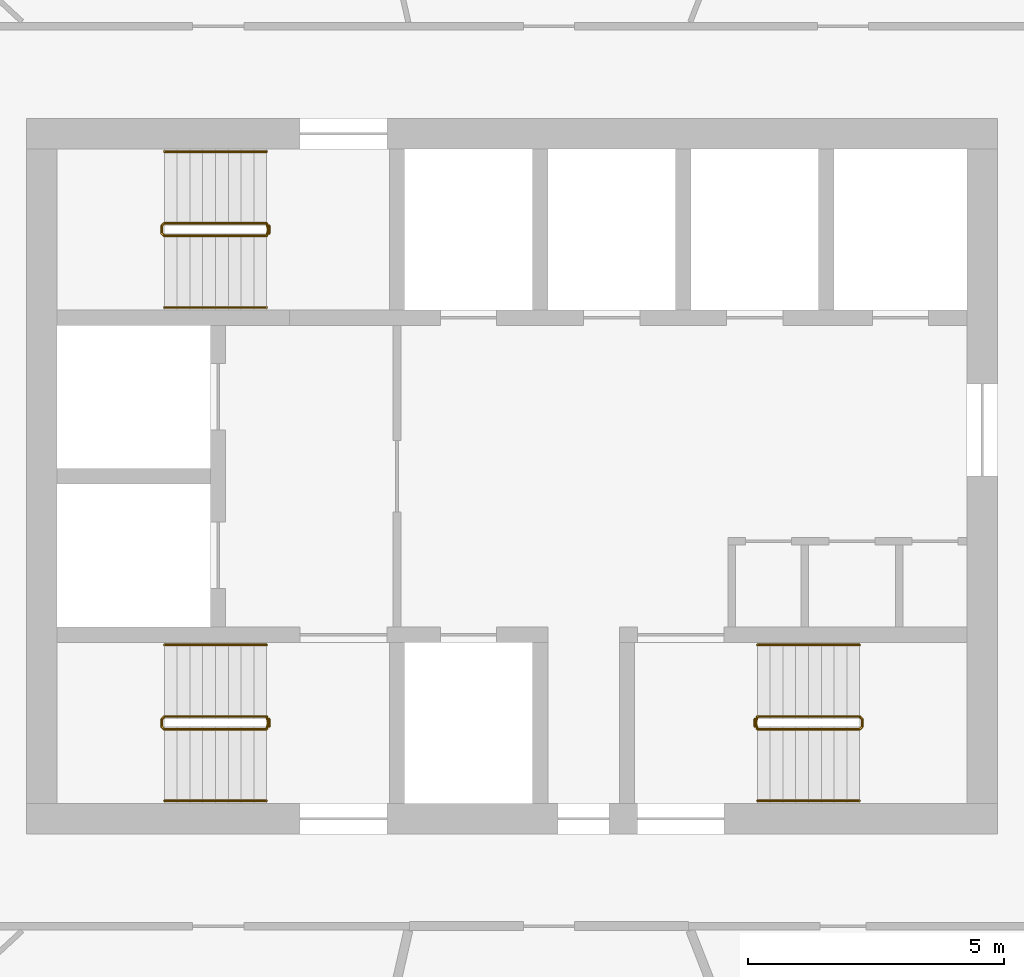
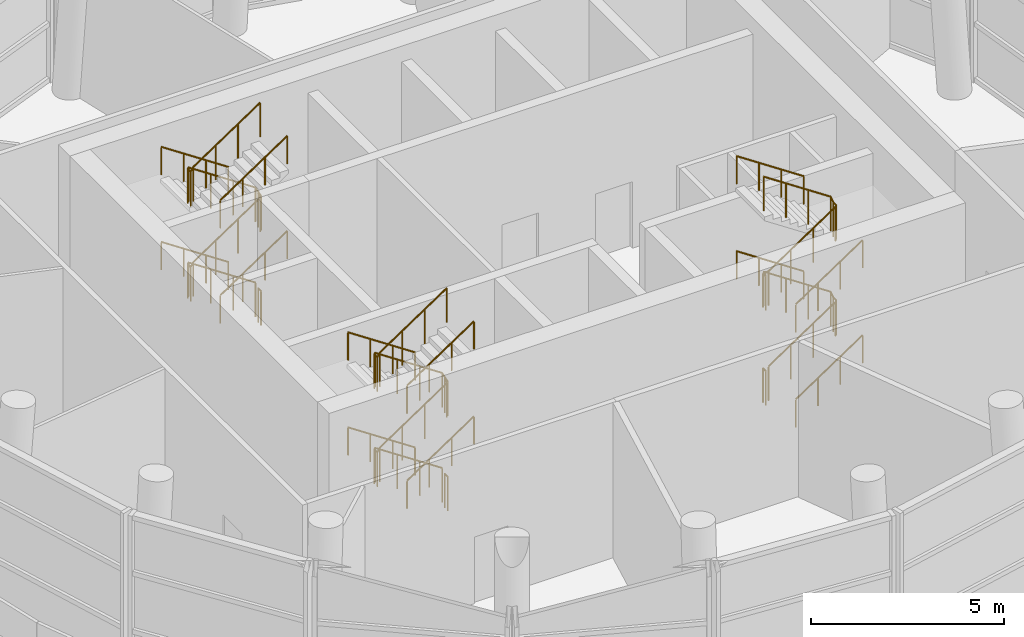
# One storey, part 9 of 10: 18 railings.
"""IFC4 building model written with IfcOpenShell, lengths in metres."""

import ifcopenshell
import ifcopenshell.guid

model = None  # the IFC model being written
_history = None  # IfcOwnerHistory: only IFC2X3 demands one
_inside = {}  # id of a spatial element -> (the spatial element, [elements in it])
_under = {}  # id of a project, library or spatial element -> (it, [spatial elements below it])
_declared = {}  # id of a project -> (the project, [libraries it declares])
_typed = {}  # id of a type object -> (the type object, [elements of that type])
_made_of = {}  # id of a material, layer set ... -> (it, [elements and type objects made of it])


def new_model(schema):
    """Start an empty IFC model of exactly this schema.

    Asked for "IFC4X3", IfcOpenShell would pick the latest addendum, in which some entities
    have other attributes; the version numbers below select the first issue.
    IFC2X3 requires an IfcOwnerHistory on every rooted entity: one is made here for all.
    """
    global model, _history
    if schema == "IFC4X3":
        model = ifcopenshell.file(schema_version=(4, 3, 0, 0))
    else:
        model = ifcopenshell.file(schema=schema)
    _inside.clear()
    _under.clear()
    _declared.clear()
    _typed.clear()
    _made_of.clear()
    _history = None
    if model.schema == "IFC2X3":
        org = make("IfcOrganization", Name="unknown")
        user = make(
            "IfcPersonAndOrganization",
            ThePerson=make("IfcPerson", FamilyName="unknown"),
            TheOrganization=org,
        )
        app = make(
            "IfcApplication",
            ApplicationDeveloper=org,
            Version="unknown",
            ApplicationFullName="unknown",
            ApplicationIdentifier="unknown",
        )
        _history = make(
            "IfcOwnerHistory",
            OwningUser=user,
            OwningApplication=app,
            ChangeAction="ADDED",
            CreationDate=0,
        )
    return model


def make(cls, **values):
    """One entity of the class cls with the attributes given. An attribute that is None is left unset."""
    return model.create_entity(
        cls, **{name: value for name, value in values.items() if value is not None}
    )


def rooted(cls, **values):
    """An entity with a GlobalId (a new one), such as an element, a storey or a relation."""
    return make(cls, GlobalId=ifcopenshell.guid.new(), OwnerHistory=_history, **values)


def si_unit(unit_type, name, prefix=None):
    """IfcSIUnit, for example si_unit("LENGTHUNIT", "METRE", prefix="MILLI")."""
    return make("IfcSIUnit", UnitType=unit_type, Prefix=prefix, Name=name)


def assignment(units):
    """IfcUnitAssignment: the units of a project."""
    return None if units is None else make("IfcUnitAssignment", Units=units)


def point(xyz):
    """IfcCartesianPoint."""
    return None if xyz is None else make("IfcCartesianPoint", Coordinates=xyz)


def direction(xyz):
    """IfcDirection."""
    return None if xyz is None else make("IfcDirection", DirectionRatios=xyz)


def frame(location, z_axis=None, x_axis=None):
    """IfcAxis2Placement3D, a coordinate frame: its origin and axes. An axis left out is left unset."""
    return make(
        "IfcAxis2Placement3D",
        Location=point(location),
        Axis=direction(z_axis),
        RefDirection=direction(x_axis),
    )


def frame_2d(location, x_axis=None):
    """IfcAxis2Placement2D, a coordinate frame in the plane: its origin and x axis."""
    return make(
        "IfcAxis2Placement2D", Location=point(location), RefDirection=direction(x_axis)
    )


def origin():
    """The frame at (0, 0, 0) with its axes left unset."""
    return frame((0.0, 0.0, 0.0))


def origin_2d():
    """The frame at (0, 0) in the plane with its x axis left unset."""
    return frame_2d((0.0, 0.0))


def place(relative_to, where):
    """IfcLocalPlacement: puts the frame where relative to a parent placement (None: the world)."""
    return make(
        "IfcLocalPlacement", PlacementRelTo=relative_to, RelativePlacement=where
    )


def context(
    kind, dimensions, precision=None, world=None, true_north=None, identifier=None
):
    """IfcGeometricRepresentationContext, for example the 3D "Model" context."""
    return make(
        "IfcGeometricRepresentationContext",
        ContextIdentifier=identifier,
        ContextType=kind,
        CoordinateSpaceDimension=dimensions,
        Precision=precision,
        WorldCoordinateSystem=world,
        TrueNorth=true_north,
    )


def subcontext(parent, identifier, kind, view, scale=None):
    """IfcGeometricRepresentationSubContext, for example "Body" below "Model"."""
    return make(
        "IfcGeometricRepresentationSubContext",
        ContextIdentifier=identifier,
        ContextType=kind,
        ParentContext=parent,
        TargetScale=scale,
        TargetView=view,
    )


def project(units=None, contexts=None):
    """IfcProject with its units and contexts."""
    return rooted(
        "IfcProject",
        Name="project",
        RepresentationContexts=contexts,
        UnitsInContext=assignment(units),
    )


def spatial(cls, under=None, at=None, **own):
    """A site, building, storey or space (cls), placed at a placement, below another one or the project."""
    s = rooted(cls, ObjectPlacement=at, **own)
    if under is not None:
        _under.setdefault(under.id(), (under, []))[1].append(s)
    return s


def profile(cls, at=None, kind="AREA", **sizes):
    """A parametric profile (cls). Its sizes go by their IFC names, for example OverallWidth=200.0."""
    return make(cls, ProfileType=kind, Position=at, **sizes)


def circle(**sizes):
    """IfcCircleProfileDef."""
    return profile("IfcCircleProfileDef", **sizes)


def extrude(swept, where, along, depth):
    """IfcExtrudedAreaSolid: the profile swept, set in the frame where, extruded along a direction by depth."""
    return make(
        "IfcExtrudedAreaSolid",
        SweptArea=swept,
        Position=where,
        ExtrudedDirection=direction(along),
        Depth=depth,
    )


def shape(context_of_items, identifier, shape_type, items):
    """IfcShapeRepresentation: the items that make up one representation, for example the "Body"."""
    return make(
        "IfcShapeRepresentation",
        ContextOfItems=context_of_items,
        RepresentationIdentifier=identifier,
        RepresentationType=shape_type,
        Items=items,
    )


def material(Name=None, Category=None):
    """IfcMaterial."""
    return make("IfcMaterial", Name=Name, Category=Category)


def made_of(thing, what):
    """Note that an element or type object is made of a material, layer set ...; save() writes the relation."""
    if what is not None:
        _made_of.setdefault(what.id(), (what, []))[1].append(thing)
    return thing


def type_object(cls, material=None, **own):
    """A type object (cls), such as IfcWallType, which elements share."""
    return made_of(rooted(cls, **own), material)


def element(
    cls,
    number,
    at=None,
    inside=None,
    cuts=None,
    type_object=None,
    material=None,
    context=None,
    identifier="Body",
    shape_type=None,
    held_by="IfcProductDefinitionShape",
    body=None,
    shapes=None,
    **own,
):
    """One element of the class cls, such as IfcWall. Its Tag is "e" and its number.

    at: its placement. inside: the storey or other place that contains it. cuts: it is an
    opening in that element (IfcRelVoidsElement). A single representation is given by context,
    identifier, shape_type and body (its items); several are given by shapes. held_by: the class
    of the entity that holds the representations. save() writes the other relations.
    """
    e = rooted(cls, Tag="e%d" % number, ObjectPlacement=at, **own)
    if body is not None:
        shapes = [shape(context, identifier, shape_type, body)]
    if shapes is not None:
        e.Representation = make(held_by, Representations=shapes)
    if inside is not None:
        _inside.setdefault(inside.id(), (inside, []))[1].append(e)
    if cuts is not None:
        rooted(
            "IfcRelVoidsElement", RelatingBuildingElement=cuts, RelatedOpeningElement=e
        )
    if type_object is not None:
        _typed.setdefault(type_object.id(), (type_object, []))[1].append(e)
    return made_of(e, material)


def aggregate(whole, parts):
    """IfcRelAggregates: a whole, such as a stair, and the parts it consists of."""
    return rooted("IfcRelAggregates", RelatingObject=whole, RelatedObjects=parts)


def save(model, path):
    """Write the relations noted so far, then the file.

    IfcRelAggregates (storeys below a building ...), IfcRelContainedInSpatialStructure (elements
    in a storey), IfcRelDefinesByType, IfcRelAssociatesMaterial and IfcRelDeclares: one each for
    every whole, place, type object, material and project.
    """
    for whole, parts in _under.values():
        aggregate(whole, parts)
    for where, things in _inside.values():
        rooted(
            "IfcRelContainedInSpatialStructure",
            RelatedElements=things,
            RelatingStructure=where,
        )
    for kind, things in _typed.values():
        rooted("IfcRelDefinesByType", RelatedObjects=things, RelatingType=kind)
    for what, things in _made_of.values():
        rooted("IfcRelAssociatesMaterial", RelatedObjects=things, RelatingMaterial=what)
    for by, libraries in _declared.values():
        rooted("IfcRelDeclares", RelatingContext=by, RelatedDefinitions=libraries)
    model.write(path)


model = new_model("IFC4")

# Units and contexts
model_context = context("Model", 3, precision=1e-05, world=origin(), true_north=direction((0.0, 1.0)))
body_context = subcontext(model_context, "Body", "Model", "MODEL_VIEW")
ifc_project = project(units=[si_unit("LENGTHUNIT", "METRE"), si_unit("AREAUNIT", "SQUARE_METRE"), si_unit("VOLUMEUNIT", "CUBIC_METRE"), si_unit("PLANEANGLEUNIT", "RADIAN"), si_unit("MASSUNIT", "GRAM", prefix="KILO")], contexts=[model_context])

# Site, building, storey
site_placement = place(None, origin())
site = spatial("IfcSite", under=ifc_project, at=site_placement, CompositionType="ELEMENT")
building_placement = place(site_placement, origin())
building = spatial("IfcBuilding", under=site, at=building_placement, Name="Tracery Tower", CompositionType="ELEMENT")
storey_placement = place(building_placement, frame((0.0, 0.0, 352.199951171875)))
storey = spatial("IfcBuildingStorey", under=building, at=storey_placement, Name="L90", CompositionType="ELEMENT", Elevation=352.199951171875)

# Railings
ifc_material_1 = material(Name="Stainless steel and laminated glass", Category="steel")
railing_type_1 = type_object("IfcRailingType", Name="Stair guard 1100", PredefinedType="GUARDRAIL", material=ifc_material_1)
railing_1_placement = place(storey_placement, frame((-4.800048828125, -4.699951171875, 0.166748046875)))
element("IfcRailing", 1, at=railing_1_placement, inside=storey, type_object=railing_type_1, Name="L90 stair ST1 guard 1", PredefinedType="GUARDRAIL", context=body_context, shape_type="SweptSolid", body=[
    extrude(circle(Radius=0.02392578125, at=origin_2d()), frame((0.0, 0.0, 1.076171875), z_axis=(-0.832065920246, 0.0, 0.554676756648), x_axis=(0.0, -1.0, 0.0)), (0.0, 0.0, 1.0), 2.403564453125),
    extrude(circle(Radius=0.02392578125, at=origin_2d()), frame((-2.0, 0.0, 2.4091796875), z_axis=(-0.707106781187, -0.707106781187, 0.0), x_axis=(0.707106781187, -0.707106781187, 0.0)), (0.0, 0.0, 1.0), 0.07080078125),
    extrude(circle(Radius=0.02392578125, at=origin_2d()), frame((-2.050048828125, -0.050048828125, 2.4091796875), z_axis=(0.0, -1.0, 0.0), x_axis=(1.0, 0.0, 0.0)), (0.0, 0.0, 1.0), 0.14990234375),
    extrude(circle(Radius=0.02392578125, at=origin_2d()), frame((-2.050048828125, -0.199951171875, 2.4091796875), z_axis=(0.27628659633, -0.27628659633, 0.920506074601), x_axis=(0.707106781187, 0.707106781187, 0.0)), (0.0, 0.0, 1.0), 0.18115234375),
    extrude(circle(Radius=0.02392578125, at=origin_2d()), frame((-2.0, -0.25, 2.576171875), z_axis=(0.832065920246, 0.0, 0.554676756648), x_axis=(0.0, 1.0, 0.0)), (0.0, 0.0, 1.0), 2.403564453125),
    extrude(circle(Radius=0.02392578125, at=origin_2d()), frame((0.0, -0.25, 3.9091796875), z_axis=(0.242814311512, 0.970072785993, 0.0), x_axis=(-0.970072785993, 0.242814311512, 0.0)), (0.0, 0.0, 1.0), 0.2060546875),
    extrude(circle(Radius=0.02392578125, at=origin_2d()), frame((0.050048828125, -0.050048828125, 3.9091796875), z_axis=(0.0, -1.0, 0.0), x_axis=(1.0, 0.0, 0.0)), (0.0, 0.0, 1.0), 0.14990234375),
    extrude(circle(Radius=0.02392578125, at=origin_2d()), frame((0.050048828125, -0.199951171875, 3.9091796875), z_axis=(-0.188775798145, 0.754182335027, 0.628945707965), x_axis=(-0.970072785993, -0.242814311512, 0.0)), (0.0, 0.0, 1.0), 0.26513671875),
    extrude(circle(Radius=0.02392578125, at=origin_2d()), frame((0.0, 0.0, 4.076171875), z_axis=(-0.832065920246, 0.0, 0.554676756648), x_axis=(0.0, -1.0, 0.0)), (0.0, 0.0, 1.0), 2.403564453125),
    extrude(circle(Radius=0.02392578125, at=origin_2d()), frame((-2.0, 0.0, 5.4091796875), z_axis=(-0.707106781187, -0.707106781187, 0.0), x_axis=(0.707106781187, -0.707106781187, 0.0)), (0.0, 0.0, 1.0), 0.07080078125),
    extrude(circle(Radius=0.02392578125, at=origin_2d()), frame((-2.050048828125, -0.050048828125, 5.4091796875), z_axis=(0.0, -1.0, 0.0), x_axis=(1.0, 0.0, 0.0)), (0.0, 0.0, 1.0), 0.14990234375),
    extrude(circle(Radius=0.02392578125, at=origin_2d()), frame((-2.050048828125, -0.199951171875, 5.4091796875), z_axis=(0.27628659633, -0.27628659633, 0.920506074601), x_axis=(0.707106781187, 0.707106781187, 0.0)), (0.0, 0.0, 1.0), 0.18115234375),
    extrude(circle(Radius=0.02392578125, at=origin_2d()), frame((-2.0, -0.25, 5.576171875), z_axis=(0.832065920246, 0.0, 0.554676756648), x_axis=(0.0, 1.0, 0.0)), (0.0, 0.0, 1.0), 2.403564453125),
    extrude(circle(Radius=0.02099609375, at=origin_2d()), origin(), (0.0, 0.0, 1.0), 1.052001953125),
    extrude(circle(Radius=0.02099609375, at=origin_2d()), frame((-0.666748046875, 0.0, 0.4443359375)), (0.0, 0.0, 1.0), 1.052001953125),
    extrude(circle(Radius=0.02099609375, at=origin_2d()), frame((-1.333251953125, 0.0, 0.888916015625)), (0.0, 0.0, 1.0), 1.052001953125),
    extrude(circle(Radius=0.02099609375, at=origin_2d()), frame((-2.0, 0.0, 1.333251953125)), (0.0, 0.0, 1.0), 1.052001953125),
    extrude(circle(Radius=0.02099609375, at=origin_2d()), frame((-2.050048828125, -0.050048828125, 1.333251953125)), (0.0, 0.0, 1.0), 1.052001953125),
    extrude(circle(Radius=0.02099609375, at=origin_2d()), frame((-2.050048828125, -0.199951171875, 1.333251953125)), (0.0, 0.0, 1.0), 1.052001953125),
    extrude(circle(Radius=0.02099609375, at=origin_2d()), frame((-2.0, -0.25, 1.5)), (0.0, 0.0, 1.0), 1.052001953125),
    extrude(circle(Radius=0.02099609375, at=origin_2d()), frame((-1.333251953125, -0.25, 1.9443359375)), (0.0, 0.0, 1.0), 1.052001953125),
    extrude(circle(Radius=0.02099609375, at=origin_2d()), frame((-0.666748046875, -0.25, 2.388916015625)), (0.0, 0.0, 1.0), 1.052001953125),
    extrude(circle(Radius=0.02099609375, at=origin_2d()), frame((0.0, -0.25, 2.833251953125)), (0.0, 0.0, 1.0), 1.052001953125),
    extrude(circle(Radius=0.02099609375, at=origin_2d()), frame((0.050048828125, -0.050048828125, 2.833251953125)), (0.0, 0.0, 1.0), 1.052001953125),
    extrude(circle(Radius=0.02099609375, at=origin_2d()), frame((0.050048828125, -0.199951171875, 2.833251953125)), (0.0, 0.0, 1.0), 1.052001953125),
    extrude(circle(Radius=0.02099609375, at=origin_2d()), frame((0.0, 0.0, 3.0)), (0.0, 0.0, 1.0), 1.052001953125),
    extrude(circle(Radius=0.02099609375, at=origin_2d()), frame((-0.666748046875, 0.0, 3.4443359375)), (0.0, 0.0, 1.0), 1.052001953125),
    extrude(circle(Radius=0.02099609375, at=origin_2d()), frame((-1.333251953125, 0.0, 3.888916015625)), (0.0, 0.0, 1.0), 1.052001953125),
    extrude(circle(Radius=0.02099609375, at=origin_2d()), frame((-2.0, 0.0, 4.333251953125)), (0.0, 0.0, 1.0), 1.052001953125),
    extrude(circle(Radius=0.02099609375, at=origin_2d()), frame((-2.050048828125, -0.050048828125, 4.333251953125)), (0.0, 0.0, 1.0), 1.052001953125),
    extrude(circle(Radius=0.02099609375, at=origin_2d()), frame((-2.050048828125, -0.199951171875, 4.333251953125)), (0.0, 0.0, 1.0), 1.052001953125),
    extrude(circle(Radius=0.02099609375, at=origin_2d()), frame((-2.0, -0.25, 4.5)), (0.0, 0.0, 1.0), 1.052001953125),
    extrude(circle(Radius=0.02099609375, at=origin_2d()), frame((-1.333251953125, -0.25, 4.9443359375)), (0.0, 0.0, 1.0), 1.052001953125),
    extrude(circle(Radius=0.02099609375, at=origin_2d()), frame((-0.666748046875, -0.25, 5.388916015625)), (0.0, 0.0, 1.0), 1.052001953125),
    extrude(circle(Radius=0.02099609375, at=origin_2d()), frame((0.0, -0.25, 5.833251953125)), (0.0, 0.0, 1.0), 1.052001953125),
])
railing_2_placement = place(storey_placement, frame((-4.75, -4.75, 0.0)))
element("IfcRailing", 2, at=railing_2_placement, inside=storey, type_object=railing_type_1, Name="L90 stair ST1 guard 2", PredefinedType="GUARDRAIL", context=body_context, shape_type="SweptSolid", body=[
    extrude(circle(Radius=0.02392578125, at=origin_2d()), frame((0.0, 0.0, 1.076171875), z_axis=(0.0, -1.0, 0.0), x_axis=(1.0, 0.0, 0.0)), (0.0, 0.0, 1.0), 0.14990234375),
    extrude(circle(Radius=0.02099609375, at=origin_2d()), origin(), (0.0, 0.0, 1.0), 1.052001953125),
    extrude(circle(Radius=0.02099609375, at=origin_2d()), frame((0.0, -0.14990234375, 0.0)), (0.0, 0.0, 1.0), 1.052001953125),
])
railing_3_placement = place(storey_placement, frame((-4.800048828125, 4.949951171875, 0.166748046875)))
element("IfcRailing", 3, at=railing_3_placement, inside=storey, type_object=railing_type_1, Name="L90 stair ST3 guard 1", PredefinedType="GUARDRAIL", context=body_context, shape_type="SweptSolid", body=[
    extrude(circle(Radius=0.02392578125, at=origin_2d()), frame((0.0, 0.0, 1.076171875), z_axis=(-0.832065920246, 0.0, 0.554676756648), x_axis=(0.0, -1.0, 0.0)), (0.0, 0.0, 1.0), 2.403564453125),
    extrude(circle(Radius=0.02392578125, at=origin_2d()), frame((-2.0, 0.0, 2.4091796875), z_axis=(-0.707106781187, -0.707106781187, 0.0), x_axis=(0.707106781187, -0.707106781187, 0.0)), (0.0, 0.0, 1.0), 0.07080078125),
    extrude(circle(Radius=0.02392578125, at=origin_2d()), frame((-2.050048828125, -0.050048828125, 2.4091796875), z_axis=(0.0, -1.0, 0.0), x_axis=(1.0, 0.0, 0.0)), (0.0, 0.0, 1.0), 0.14990234375),
    extrude(circle(Radius=0.02392578125, at=origin_2d()), frame((-2.050048828125, -0.199951171875, 2.4091796875), z_axis=(0.27628659633, -0.27628659633, 0.920506074601), x_axis=(0.707106781187, 0.707106781187, 0.0)), (0.0, 0.0, 1.0), 0.18115234375),
    extrude(circle(Radius=0.02392578125, at=origin_2d()), frame((-2.0, -0.25, 2.576171875), z_axis=(0.832065920246, 0.0, 0.554676756648), x_axis=(0.0, 1.0, 0.0)), (0.0, 0.0, 1.0), 2.403564453125),
    extrude(circle(Radius=0.02392578125, at=origin_2d()), frame((0.0, -0.25, 3.9091796875), z_axis=(0.242814311512, 0.970072785993, 0.0), x_axis=(-0.970072785993, 0.242814311512, 0.0)), (0.0, 0.0, 1.0), 0.2060546875),
    extrude(circle(Radius=0.02392578125, at=origin_2d()), frame((0.050048828125, -0.050048828125, 3.9091796875), z_axis=(0.0, -1.0, 0.0), x_axis=(1.0, 0.0, 0.0)), (0.0, 0.0, 1.0), 0.14990234375),
    extrude(circle(Radius=0.02392578125, at=origin_2d()), frame((0.050048828125, -0.199951171875, 3.9091796875), z_axis=(-0.188775798145, 0.754182335027, 0.628945707965), x_axis=(-0.970072785993, -0.242814311512, 0.0)), (0.0, 0.0, 1.0), 0.26513671875),
    extrude(circle(Radius=0.02392578125, at=origin_2d()), frame((0.0, 0.0, 4.076171875), z_axis=(-0.832065920246, 0.0, 0.554676756648), x_axis=(0.0, -1.0, 0.0)), (0.0, 0.0, 1.0), 2.403564453125),
    extrude(circle(Radius=0.02392578125, at=origin_2d()), frame((-2.0, 0.0, 5.4091796875), z_axis=(-0.707106781187, -0.707106781187, 0.0), x_axis=(0.707106781187, -0.707106781187, 0.0)), (0.0, 0.0, 1.0), 0.07080078125),
    extrude(circle(Radius=0.02392578125, at=origin_2d()), frame((-2.050048828125, -0.050048828125, 5.4091796875), z_axis=(0.0, -1.0, 0.0), x_axis=(1.0, 0.0, 0.0)), (0.0, 0.0, 1.0), 0.14990234375),
    extrude(circle(Radius=0.02392578125, at=origin_2d()), frame((-2.050048828125, -0.199951171875, 5.4091796875), z_axis=(0.27628659633, -0.27628659633, 0.920506074601), x_axis=(0.707106781187, 0.707106781187, 0.0)), (0.0, 0.0, 1.0), 0.18115234375),
    extrude(circle(Radius=0.02392578125, at=origin_2d()), frame((-2.0, -0.25, 5.576171875), z_axis=(0.832065920246, 0.0, 0.554676756648), x_axis=(0.0, 1.0, 0.0)), (0.0, 0.0, 1.0), 2.403564453125),
    extrude(circle(Radius=0.02099609375, at=origin_2d()), origin(), (0.0, 0.0, 1.0), 1.052001953125),
    extrude(circle(Radius=0.02099609375, at=origin_2d()), frame((-0.666748046875, 0.0, 0.4443359375)), (0.0, 0.0, 1.0), 1.052001953125),
    extrude(circle(Radius=0.02099609375, at=origin_2d()), frame((-1.333251953125, 0.0, 0.888916015625)), (0.0, 0.0, 1.0), 1.052001953125),
    extrude(circle(Radius=0.02099609375, at=origin_2d()), frame((-2.0, 0.0, 1.333251953125)), (0.0, 0.0, 1.0), 1.052001953125),
    extrude(circle(Radius=0.02099609375, at=origin_2d()), frame((-2.050048828125, -0.050048828125, 1.333251953125)), (0.0, 0.0, 1.0), 1.052001953125),
    extrude(circle(Radius=0.02099609375, at=origin_2d()), frame((-2.050048828125, -0.199951171875, 1.333251953125)), (0.0, 0.0, 1.0), 1.052001953125),
    extrude(circle(Radius=0.02099609375, at=origin_2d()), frame((-2.0, -0.25, 1.5)), (0.0, 0.0, 1.0), 1.052001953125),
    extrude(circle(Radius=0.02099609375, at=origin_2d()), frame((-1.333251953125, -0.25, 1.9443359375)), (0.0, 0.0, 1.0), 1.052001953125),
    extrude(circle(Radius=0.02099609375, at=origin_2d()), frame((-0.666748046875, -0.25, 2.388916015625)), (0.0, 0.0, 1.0), 1.052001953125),
    extrude(circle(Radius=0.02099609375, at=origin_2d()), frame((0.0, -0.25, 2.833251953125)), (0.0, 0.0, 1.0), 1.052001953125),
    extrude(circle(Radius=0.02099609375, at=origin_2d()), frame((0.050048828125, -0.050048828125, 2.833251953125)), (0.0, 0.0, 1.0), 1.052001953125),
    extrude(circle(Radius=0.02099609375, at=origin_2d()), frame((0.050048828125, -0.199951171875, 2.833251953125)), (0.0, 0.0, 1.0), 1.052001953125),
    extrude(circle(Radius=0.02099609375, at=origin_2d()), frame((0.0, 0.0, 3.0)), (0.0, 0.0, 1.0), 1.052001953125),
    extrude(circle(Radius=0.02099609375, at=origin_2d()), frame((-0.666748046875, 0.0, 3.4443359375)), (0.0, 0.0, 1.0), 1.052001953125),
    extrude(circle(Radius=0.02099609375, at=origin_2d()), frame((-1.333251953125, 0.0, 3.888916015625)), (0.0, 0.0, 1.0), 1.052001953125),
    extrude(circle(Radius=0.02099609375, at=origin_2d()), frame((-2.0, 0.0, 4.333251953125)), (0.0, 0.0, 1.0), 1.052001953125),
    extrude(circle(Radius=0.02099609375, at=origin_2d()), frame((-2.050048828125, -0.050048828125, 4.333251953125)), (0.0, 0.0, 1.0), 1.052001953125),
    extrude(circle(Radius=0.02099609375, at=origin_2d()), frame((-2.050048828125, -0.199951171875, 4.333251953125)), (0.0, 0.0, 1.0), 1.052001953125),
    extrude(circle(Radius=0.02099609375, at=origin_2d()), frame((-2.0, -0.25, 4.5)), (0.0, 0.0, 1.0), 1.052001953125),
    extrude(circle(Radius=0.02099609375, at=origin_2d()), frame((-1.333251953125, -0.25, 4.9443359375)), (0.0, 0.0, 1.0), 1.052001953125),
    extrude(circle(Radius=0.02099609375, at=origin_2d()), frame((-0.666748046875, -0.25, 5.388916015625)), (0.0, 0.0, 1.0), 1.052001953125),
    extrude(circle(Radius=0.02099609375, at=origin_2d()), frame((0.0, -0.25, 5.833251953125)), (0.0, 0.0, 1.0), 1.052001953125),
])
railing_4_placement = place(storey_placement, frame((-4.75, 4.89990234375, 0.0)))
element("IfcRailing", 4, at=railing_4_placement, inside=storey, type_object=railing_type_1, Name="L90 stair ST3 guard 2", PredefinedType="GUARDRAIL", context=body_context, shape_type="SweptSolid", body=[
    extrude(circle(Radius=0.02392578125, at=origin_2d()), frame((0.0, 0.0, 1.076171875), z_axis=(0.0, -1.0, 0.0), x_axis=(1.0, 0.0, 0.0)), (0.0, 0.0, 1.0), 0.14990234375),
    extrude(circle(Radius=0.02099609375, at=origin_2d()), origin(), (0.0, 0.0, 1.0), 1.052001953125),
    extrude(circle(Radius=0.02099609375, at=origin_2d()), frame((0.0, -0.14990234375, 0.0)), (0.0, 0.0, 1.0), 1.052001953125),
])
railing_5_placement = place(storey_placement, frame((4.800048828125, -4.949951171875, 0.166748046875)))
element("IfcRailing", 5, at=railing_5_placement, inside=storey, type_object=railing_type_1, Name="L90 stair ST2 guard 1", PredefinedType="GUARDRAIL", context=body_context, shape_type="SweptSolid", body=[
    extrude(circle(Radius=0.02392578125, at=origin_2d()), frame((0.0, 0.0, 1.076171875), z_axis=(0.832065920246, 0.0, 0.554676756648), x_axis=(0.0, 1.0, 0.0)), (0.0, 0.0, 1.0), 2.403564453125),
    extrude(circle(Radius=0.02392578125, at=origin_2d()), frame((2.0, 0.0, 2.4091796875), z_axis=(0.707106781187, 0.707106781187, 0.0), x_axis=(-0.707106781187, 0.707106781187, 0.0)), (0.0, 0.0, 1.0), 0.07080078125),
    extrude(circle(Radius=0.02392578125, at=origin_2d()), frame((2.050048828125, 0.050048828125, 2.4091796875), z_axis=(0.0, 1.0, 0.0), x_axis=(-1.0, 0.0, 0.0)), (0.0, 0.0, 1.0), 0.14990234375),
    extrude(circle(Radius=0.02392578125, at=origin_2d()), frame((2.050048828125, 0.199951171875, 2.4091796875), z_axis=(-0.27628659633, 0.27628659633, 0.920506074601), x_axis=(-0.707106781187, -0.707106781187, 0.0)), (0.0, 0.0, 1.0), 0.18115234375),
    extrude(circle(Radius=0.02392578125, at=origin_2d()), frame((2.0, 0.25, 2.576171875), z_axis=(-0.832065920246, 0.0, 0.554676756648), x_axis=(0.0, -1.0, 0.0)), (0.0, 0.0, 1.0), 2.403564453125),
    extrude(circle(Radius=0.02392578125, at=origin_2d()), frame((0.0, 0.25, 3.9091796875), z_axis=(-0.242814311512, -0.970072785993, 0.0), x_axis=(0.970072785993, -0.242814311512, 0.0)), (0.0, 0.0, 1.0), 0.2060546875),
    extrude(circle(Radius=0.02392578125, at=origin_2d()), frame((-0.050048828125, 0.050048828125, 3.9091796875), z_axis=(0.0, 1.0, 0.0), x_axis=(-1.0, 0.0, 0.0)), (0.0, 0.0, 1.0), 0.14990234375),
    extrude(circle(Radius=0.02392578125, at=origin_2d()), frame((-0.050048828125, 0.199951171875, 3.9091796875), z_axis=(0.188775798145, -0.754182335027, 0.628945707965), x_axis=(0.970072785993, 0.242814311512, 0.0)), (0.0, 0.0, 1.0), 0.26513671875),
    extrude(circle(Radius=0.02392578125, at=origin_2d()), frame((0.0, 0.0, 4.076171875), z_axis=(0.832065920246, 0.0, 0.554676756648), x_axis=(0.0, 1.0, 0.0)), (0.0, 0.0, 1.0), 2.403564453125),
    extrude(circle(Radius=0.02392578125, at=origin_2d()), frame((2.0, 0.0, 5.4091796875), z_axis=(0.707106781187, 0.707106781187, 0.0), x_axis=(-0.707106781187, 0.707106781187, 0.0)), (0.0, 0.0, 1.0), 0.07080078125),
    extrude(circle(Radius=0.02392578125, at=origin_2d()), frame((2.050048828125, 0.050048828125, 5.4091796875), z_axis=(0.0, 1.0, 0.0), x_axis=(-1.0, 0.0, 0.0)), (0.0, 0.0, 1.0), 0.14990234375),
    extrude(circle(Radius=0.02392578125, at=origin_2d()), frame((2.050048828125, 0.199951171875, 5.4091796875), z_axis=(-0.27628659633, 0.27628659633, 0.920506074601), x_axis=(-0.707106781187, -0.707106781187, 0.0)), (0.0, 0.0, 1.0), 0.18115234375),
    extrude(circle(Radius=0.02392578125, at=origin_2d()), frame((2.0, 0.25, 5.576171875), z_axis=(-0.832065920246, 0.0, 0.554676756648), x_axis=(0.0, -1.0, 0.0)), (0.0, 0.0, 1.0), 2.403564453125),
    extrude(circle(Radius=0.02099609375, at=origin_2d()), origin(), (0.0, 0.0, 1.0), 1.052001953125),
    extrude(circle(Radius=0.02099609375, at=origin_2d()), frame((0.666748046875, 0.0, 0.4443359375)), (0.0, 0.0, 1.0), 1.052001953125),
    extrude(circle(Radius=0.02099609375, at=origin_2d()), frame((1.333251953125, 0.0, 0.888916015625)), (0.0, 0.0, 1.0), 1.052001953125),
    extrude(circle(Radius=0.02099609375, at=origin_2d()), frame((2.0, 0.0, 1.333251953125)), (0.0, 0.0, 1.0), 1.052001953125),
    extrude(circle(Radius=0.02099609375, at=origin_2d()), frame((2.050048828125, 0.050048828125, 1.333251953125)), (0.0, 0.0, 1.0), 1.052001953125),
    extrude(circle(Radius=0.02099609375, at=origin_2d()), frame((2.050048828125, 0.199951171875, 1.333251953125)), (0.0, 0.0, 1.0), 1.052001953125),
    extrude(circle(Radius=0.02099609375, at=origin_2d()), frame((2.0, 0.25, 1.5)), (0.0, 0.0, 1.0), 1.052001953125),
    extrude(circle(Radius=0.02099609375, at=origin_2d()), frame((1.333251953125, 0.25, 1.9443359375)), (0.0, 0.0, 1.0), 1.052001953125),
    extrude(circle(Radius=0.02099609375, at=origin_2d()), frame((0.666748046875, 0.25, 2.388916015625)), (0.0, 0.0, 1.0), 1.052001953125),
    extrude(circle(Radius=0.02099609375, at=origin_2d()), frame((0.0, 0.25, 2.833251953125)), (0.0, 0.0, 1.0), 1.052001953125),
    extrude(circle(Radius=0.02099609375, at=origin_2d()), frame((-0.050048828125, 0.050048828125, 2.833251953125)), (0.0, 0.0, 1.0), 1.052001953125),
    extrude(circle(Radius=0.02099609375, at=origin_2d()), frame((-0.050048828125, 0.199951171875, 2.833251953125)), (0.0, 0.0, 1.0), 1.052001953125),
    extrude(circle(Radius=0.02099609375, at=origin_2d()), frame((0.0, 0.0, 3.0)), (0.0, 0.0, 1.0), 1.052001953125),
    extrude(circle(Radius=0.02099609375, at=origin_2d()), frame((0.666748046875, 0.0, 3.4443359375)), (0.0, 0.0, 1.0), 1.052001953125),
    extrude(circle(Radius=0.02099609375, at=origin_2d()), frame((1.333251953125, 0.0, 3.888916015625)), (0.0, 0.0, 1.0), 1.052001953125),
    extrude(circle(Radius=0.02099609375, at=origin_2d()), frame((2.0, 0.0, 4.333251953125)), (0.0, 0.0, 1.0), 1.052001953125),
    extrude(circle(Radius=0.02099609375, at=origin_2d()), frame((2.050048828125, 0.050048828125, 4.333251953125)), (0.0, 0.0, 1.0), 1.052001953125),
    extrude(circle(Radius=0.02099609375, at=origin_2d()), frame((2.050048828125, 0.199951171875, 4.333251953125)), (0.0, 0.0, 1.0), 1.052001953125),
    extrude(circle(Radius=0.02099609375, at=origin_2d()), frame((2.0, 0.25, 4.5)), (0.0, 0.0, 1.0), 1.052001953125),
    extrude(circle(Radius=0.02099609375, at=origin_2d()), frame((1.333251953125, 0.25, 4.9443359375)), (0.0, 0.0, 1.0), 1.052001953125),
    extrude(circle(Radius=0.02099609375, at=origin_2d()), frame((0.666748046875, 0.25, 5.388916015625)), (0.0, 0.0, 1.0), 1.052001953125),
    extrude(circle(Radius=0.02099609375, at=origin_2d()), frame((0.0, 0.25, 5.833251953125)), (0.0, 0.0, 1.0), 1.052001953125),
])
railing_6_placement = place(storey_placement, frame((4.75, -4.89990234375, 0.0)))
element("IfcRailing", 6, at=railing_6_placement, inside=storey, type_object=railing_type_1, Name="L90 stair ST2 guard 2", PredefinedType="GUARDRAIL", context=body_context, shape_type="SweptSolid", body=[
    extrude(circle(Radius=0.02392578125, at=origin_2d()), frame((0.0, 0.0, 1.076171875), z_axis=(0.0, 1.0, 0.0), x_axis=(-1.0, 0.0, 0.0)), (0.0, 0.0, 1.0), 0.14990234375),
    extrude(circle(Radius=0.02099609375, at=origin_2d()), origin(), (0.0, 0.0, 1.0), 1.052001953125),
    extrude(circle(Radius=0.02099609375, at=origin_2d()), frame((0.0, 0.14990234375, 0.0)), (0.0, 0.0, 1.0), 1.052001953125),
])
ifc_material_2 = material(Name="Stainless steel and laminated glass", Category="steel")
railing_type_2 = type_object("IfcRailingType", Name="Stair handrail 900", PredefinedType="HANDRAIL", material=ifc_material_2)
railing_7_placement = place(storey_placement, frame((-4.800048828125, -3.300048828125, 0.166748046875)))
element("IfcRailing", 7, at=railing_7_placement, inside=storey, type_object=railing_type_2, Name="L90 stair ST1 handrail 1", PredefinedType="HANDRAIL", context=body_context, shape_type="SweptSolid", body=[
    extrude(circle(Radius=0.02392578125, at=origin_2d()), frame((0.0, 0.0, 0.8759765625), z_axis=(-0.832065920246, 0.0, 0.554676756648), x_axis=(0.0, -1.0, 0.0)), (0.0, 0.0, 1.0), 2.403564453125),
    extrude(circle(Radius=0.02099609375, at=origin_2d()), origin(), (0.0, 0.0, 1.0), 0.851806640625),
    extrude(circle(Radius=0.02099609375, at=origin_2d()), frame((-0.666748046875, 0.0, 0.4443359375)), (0.0, 0.0, 1.0), 0.851806640625),
    extrude(circle(Radius=0.02099609375, at=origin_2d()), frame((-1.333251953125, 0.0, 0.888916015625)), (0.0, 0.0, 1.0), 0.851806640625),
    extrude(circle(Radius=0.02099609375, at=origin_2d()), frame((-2.0, 0.0, 1.333251953125)), (0.0, 0.0, 1.0), 0.851806640625),
])
railing_8_placement = place(storey_placement, frame((-6.800048828125, -6.35009765625, 1.666748046875)))
element("IfcRailing", 8, at=railing_8_placement, inside=storey, type_object=railing_type_2, Name="L90 stair ST1 handrail 2", PredefinedType="HANDRAIL", context=body_context, shape_type="SweptSolid", body=[
    extrude(circle(Radius=0.02392578125, at=origin_2d()), frame((0.0, 0.0, 0.8759765625), z_axis=(0.832065920246, 0.0, 0.554676756648), x_axis=(0.0, 1.0, 0.0)), (0.0, 0.0, 1.0), 2.403564453125),
    extrude(circle(Radius=0.02099609375, at=origin_2d()), origin(), (0.0, 0.0, 1.0), 0.851806640625),
    extrude(circle(Radius=0.02099609375, at=origin_2d()), frame((0.666748046875, 0.0, 0.4443359375)), (0.0, 0.0, 1.0), 0.851806640625),
    extrude(circle(Radius=0.02099609375, at=origin_2d()), frame((1.333251953125, 0.0, 0.888916015625)), (0.0, 0.0, 1.0), 0.851806640625),
    extrude(circle(Radius=0.02099609375, at=origin_2d()), frame((2.0, 0.0, 1.333251953125)), (0.0, 0.0, 1.0), 0.851806640625),
])
railing_9_placement = place(storey_placement, frame((-4.800048828125, -3.300048828125, 3.166748046875)))
element("IfcRailing", 9, at=railing_9_placement, inside=storey, type_object=railing_type_2, Name="L90 stair ST1 handrail 3", PredefinedType="HANDRAIL", context=body_context, shape_type="SweptSolid", body=[
    extrude(circle(Radius=0.02392578125, at=origin_2d()), frame((0.0, 0.0, 0.8759765625), z_axis=(-0.832065920246, 0.0, 0.554676756648), x_axis=(0.0, -1.0, 0.0)), (0.0, 0.0, 1.0), 2.403564453125),
    extrude(circle(Radius=0.02099609375, at=origin_2d()), origin(), (0.0, 0.0, 1.0), 0.851806640625),
    extrude(circle(Radius=0.02099609375, at=origin_2d()), frame((-0.666748046875, 0.0, 0.4443359375)), (0.0, 0.0, 1.0), 0.851806640625),
    extrude(circle(Radius=0.02099609375, at=origin_2d()), frame((-1.333251953125, 0.0, 0.888916015625)), (0.0, 0.0, 1.0), 0.851806640625),
    extrude(circle(Radius=0.02099609375, at=origin_2d()), frame((-2.0, 0.0, 1.333251953125)), (0.0, 0.0, 1.0), 0.851806640625),
])
railing_10_placement = place(storey_placement, frame((-6.800048828125, -6.35009765625, 4.666748046875)))
element("IfcRailing", 10, at=railing_10_placement, inside=storey, type_object=railing_type_2, Name="L90 stair ST1 handrail 4", PredefinedType="HANDRAIL", context=body_context, shape_type="SweptSolid", body=[
    extrude(circle(Radius=0.02392578125, at=origin_2d()), frame((0.0, 0.0, 0.8759765625), z_axis=(0.832065920246, 0.0, 0.554676756648), x_axis=(0.0, 1.0, 0.0)), (0.0, 0.0, 1.0), 2.403564453125),
    extrude(circle(Radius=0.02099609375, at=origin_2d()), origin(), (0.0, 0.0, 1.0), 0.851806640625),
    extrude(circle(Radius=0.02099609375, at=origin_2d()), frame((0.666748046875, 0.0, 0.4443359375)), (0.0, 0.0, 1.0), 0.851806640625),
    extrude(circle(Radius=0.02099609375, at=origin_2d()), frame((1.333251953125, 0.0, 0.888916015625)), (0.0, 0.0, 1.0), 0.851806640625),
    extrude(circle(Radius=0.02099609375, at=origin_2d()), frame((2.0, 0.0, 1.333251953125)), (0.0, 0.0, 1.0), 0.851806640625),
])
railing_11_placement = place(storey_placement, frame((-4.800048828125, 6.35009765625, 0.166748046875)))
element("IfcRailing", 11, at=railing_11_placement, inside=storey, type_object=railing_type_2, Name="L90 stair ST3 handrail 1", PredefinedType="HANDRAIL", context=body_context, shape_type="SweptSolid", body=[
    extrude(circle(Radius=0.02392578125, at=origin_2d()), frame((0.0, 0.0, 0.8759765625), z_axis=(-0.832065920246, 0.0, 0.554676756648), x_axis=(0.0, -1.0, 0.0)), (0.0, 0.0, 1.0), 2.403564453125),
    extrude(circle(Radius=0.02099609375, at=origin_2d()), origin(), (0.0, 0.0, 1.0), 0.851806640625),
    extrude(circle(Radius=0.02099609375, at=origin_2d()), frame((-0.666748046875, 0.0, 0.4443359375)), (0.0, 0.0, 1.0), 0.851806640625),
    extrude(circle(Radius=0.02099609375, at=origin_2d()), frame((-1.333251953125, 0.0, 0.888916015625)), (0.0, 0.0, 1.0), 0.851806640625),
    extrude(circle(Radius=0.02099609375, at=origin_2d()), frame((-2.0, 0.0, 1.333251953125)), (0.0, 0.0, 1.0), 0.851806640625),
])
railing_12_placement = place(storey_placement, frame((-6.800048828125, 3.300048828125, 1.666748046875)))
element("IfcRailing", 12, at=railing_12_placement, inside=storey, type_object=railing_type_2, Name="L90 stair ST3 handrail 2", PredefinedType="HANDRAIL", context=body_context, shape_type="SweptSolid", body=[
    extrude(circle(Radius=0.02392578125, at=origin_2d()), frame((0.0, 0.0, 0.8759765625), z_axis=(0.832065920246, 0.0, 0.554676756648), x_axis=(0.0, 1.0, 0.0)), (0.0, 0.0, 1.0), 2.403564453125),
    extrude(circle(Radius=0.02099609375, at=origin_2d()), origin(), (0.0, 0.0, 1.0), 0.851806640625),
    extrude(circle(Radius=0.02099609375, at=origin_2d()), frame((0.666748046875, 0.0, 0.4443359375)), (0.0, 0.0, 1.0), 0.851806640625),
    extrude(circle(Radius=0.02099609375, at=origin_2d()), frame((1.333251953125, 0.0, 0.888916015625)), (0.0, 0.0, 1.0), 0.851806640625),
    extrude(circle(Radius=0.02099609375, at=origin_2d()), frame((2.0, 0.0, 1.333251953125)), (0.0, 0.0, 1.0), 0.851806640625),
])
railing_13_placement = place(storey_placement, frame((-4.800048828125, 6.35009765625, 3.166748046875)))
element("IfcRailing", 13, at=railing_13_placement, inside=storey, type_object=railing_type_2, Name="L90 stair ST3 handrail 3", PredefinedType="HANDRAIL", context=body_context, shape_type="SweptSolid", body=[
    extrude(circle(Radius=0.02392578125, at=origin_2d()), frame((0.0, 0.0, 0.8759765625), z_axis=(-0.832065920246, 0.0, 0.554676756648), x_axis=(0.0, -1.0, 0.0)), (0.0, 0.0, 1.0), 2.403564453125),
    extrude(circle(Radius=0.02099609375, at=origin_2d()), origin(), (0.0, 0.0, 1.0), 0.851806640625),
    extrude(circle(Radius=0.02099609375, at=origin_2d()), frame((-0.666748046875, 0.0, 0.4443359375)), (0.0, 0.0, 1.0), 0.851806640625),
    extrude(circle(Radius=0.02099609375, at=origin_2d()), frame((-1.333251953125, 0.0, 0.888916015625)), (0.0, 0.0, 1.0), 0.851806640625),
    extrude(circle(Radius=0.02099609375, at=origin_2d()), frame((-2.0, 0.0, 1.333251953125)), (0.0, 0.0, 1.0), 0.851806640625),
])
for number, where, name in (
    (14, (-6.800048828125, 3.300048828125, 4.666748046875), "L90 stair ST3 handrail 4"),
    (15, (4.800048828125, -6.35009765625, 0.166748046875), "L90 stair ST2 handrail 1"),
):
    element("IfcRailing", number, at=place(storey_placement, frame(where)), inside=storey, type_object=railing_type_2, Name=name, PredefinedType="HANDRAIL", context=body_context, shape_type="SweptSolid", body=[
        extrude(circle(Radius=0.02392578125, at=origin_2d()), frame((0.0, 0.0, 0.8759765625), z_axis=(0.832065920246, 0.0, 0.554676756648), x_axis=(0.0, 1.0, 0.0)), (0.0, 0.0, 1.0), 2.403564453125),
        extrude(circle(Radius=0.02099609375, at=origin_2d()), origin(), (0.0, 0.0, 1.0), 0.851806640625),
        extrude(circle(Radius=0.02099609375, at=origin_2d()), frame((0.666748046875, 0.0, 0.4443359375)), (0.0, 0.0, 1.0), 0.851806640625),
        extrude(circle(Radius=0.02099609375, at=origin_2d()), frame((1.333251953125, 0.0, 0.888916015625)), (0.0, 0.0, 1.0), 0.851806640625),
        extrude(circle(Radius=0.02099609375, at=origin_2d()), frame((2.0, 0.0, 1.333251953125)), (0.0, 0.0, 1.0), 0.851806640625),
    ])
railing_14_placement = place(storey_placement, frame((6.800048828125, -3.300048828125, 1.666748046875)))
element("IfcRailing", 16, at=railing_14_placement, inside=storey, type_object=railing_type_2, Name="L90 stair ST2 handrail 2", PredefinedType="HANDRAIL", context=body_context, shape_type="SweptSolid", body=[
    extrude(circle(Radius=0.02392578125, at=origin_2d()), frame((0.0, 0.0, 0.8759765625), z_axis=(-0.832065920246, 0.0, 0.554676756648), x_axis=(0.0, -1.0, 0.0)), (0.0, 0.0, 1.0), 2.403564453125),
    extrude(circle(Radius=0.02099609375, at=origin_2d()), origin(), (0.0, 0.0, 1.0), 0.851806640625),
    extrude(circle(Radius=0.02099609375, at=origin_2d()), frame((-0.666748046875, 0.0, 0.4443359375)), (0.0, 0.0, 1.0), 0.851806640625),
    extrude(circle(Radius=0.02099609375, at=origin_2d()), frame((-1.333251953125, 0.0, 0.888916015625)), (0.0, 0.0, 1.0), 0.851806640625),
    extrude(circle(Radius=0.02099609375, at=origin_2d()), frame((-2.0, 0.0, 1.333251953125)), (0.0, 0.0, 1.0), 0.851806640625),
])
railing_15_placement = place(storey_placement, frame((4.800048828125, -6.35009765625, 3.166748046875)))
element("IfcRailing", 17, at=railing_15_placement, inside=storey, type_object=railing_type_2, Name="L90 stair ST2 handrail 3", PredefinedType="HANDRAIL", context=body_context, shape_type="SweptSolid", body=[
    extrude(circle(Radius=0.02392578125, at=origin_2d()), frame((0.0, 0.0, 0.8759765625), z_axis=(0.832065920246, 0.0, 0.554676756648), x_axis=(0.0, 1.0, 0.0)), (0.0, 0.0, 1.0), 2.403564453125),
    extrude(circle(Radius=0.02099609375, at=origin_2d()), origin(), (0.0, 0.0, 1.0), 0.851806640625),
    extrude(circle(Radius=0.02099609375, at=origin_2d()), frame((0.666748046875, 0.0, 0.4443359375)), (0.0, 0.0, 1.0), 0.851806640625),
    extrude(circle(Radius=0.02099609375, at=origin_2d()), frame((1.333251953125, 0.0, 0.888916015625)), (0.0, 0.0, 1.0), 0.851806640625),
    extrude(circle(Radius=0.02099609375, at=origin_2d()), frame((2.0, 0.0, 1.333251953125)), (0.0, 0.0, 1.0), 0.851806640625),
])
railing_16_placement = place(storey_placement, frame((6.800048828125, -3.300048828125, 4.666748046875)))
element("IfcRailing", 18, at=railing_16_placement, inside=storey, type_object=railing_type_2, Name="L90 stair ST2 handrail 4", PredefinedType="HANDRAIL", context=body_context, shape_type="SweptSolid", body=[
    extrude(circle(Radius=0.02392578125, at=origin_2d()), frame((0.0, 0.0, 0.8759765625), z_axis=(-0.832065920246, 0.0, 0.554676756648), x_axis=(0.0, -1.0, 0.0)), (0.0, 0.0, 1.0), 2.403564453125),
    extrude(circle(Radius=0.02099609375, at=origin_2d()), origin(), (0.0, 0.0, 1.0), 0.851806640625),
    extrude(circle(Radius=0.02099609375, at=origin_2d()), frame((-0.666748046875, 0.0, 0.4443359375)), (0.0, 0.0, 1.0), 0.851806640625),
    extrude(circle(Radius=0.02099609375, at=origin_2d()), frame((-1.333251953125, 0.0, 0.888916015625)), (0.0, 0.0, 1.0), 0.851806640625),
    extrude(circle(Radius=0.02099609375, at=origin_2d()), frame((-2.0, 0.0, 1.333251953125)), (0.0, 0.0, 1.0), 0.851806640625),
])

save(model, "model.ifc")
